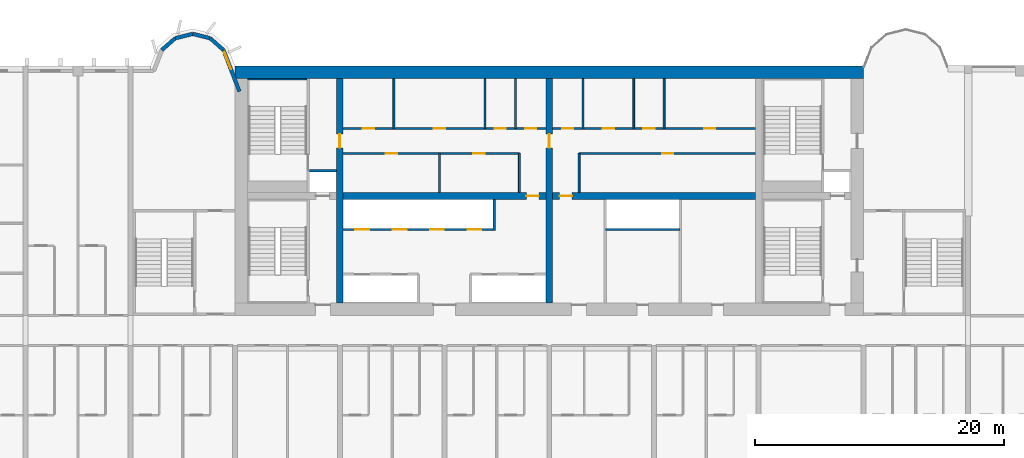
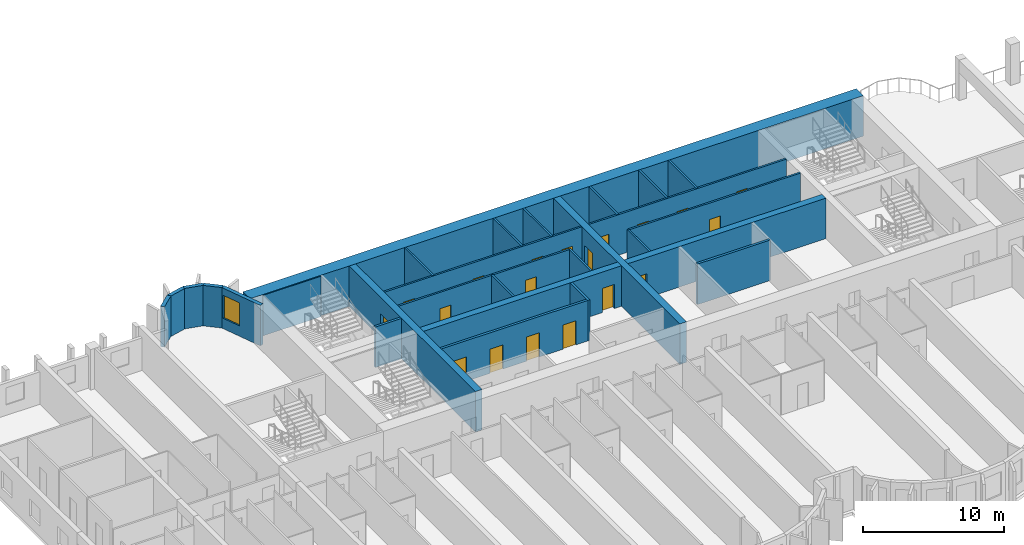
# One storey, part 7 of 14: 28 walls, 19 doors, 1 window, 20 openings.
"""IFC4 building model written with IfcOpenShell, lengths in metres."""

from ifc_helpers import new_model, si_unit, direction, frame, frame_2d, origin, place, context, subcontext, project, spatial, rectangle, extrude, source, transform, mapped, material, layer, layer_set, type_object, element, fill, save


model = new_model("IFC4")

# Units and contexts
model_context = context("Model", 3, precision=1e-05, world=origin(), true_north=direction((0.0, 1.0)))
body_context = subcontext(model_context, "Body", "Model", "MODEL_VIEW")
ifc_project = project(units=[si_unit("LENGTHUNIT", "METRE"), si_unit("AREAUNIT", "SQUARE_METRE"), si_unit("VOLUMEUNIT", "CUBIC_METRE"), si_unit("PLANEANGLEUNIT", "RADIAN"), si_unit("MASSUNIT", "GRAM", prefix="KILO")], contexts=[model_context])

# Site, building, storey
site_placement = place(None, origin())
site = spatial("IfcSite", under=ifc_project, at=site_placement, CompositionType="ELEMENT")
building_placement = place(site_placement, origin())
building = spatial("IfcBuilding", under=site, at=building_placement, Name="Vanashikhar Sky Hotel", CompositionType="ELEMENT")
storey_placement = place(building_placement, frame((0.0, 0.0, 73.39990234375)))
storey = spatial("IfcBuildingStorey", under=building, at=storey_placement, Name="L17", CompositionType="ELEMENT", Elevation=73.39990234375)

# Wall
ifc_material_1 = material(Name="Concrete M80", Category="concrete")
ifc_layer_1 = layer(ifc_material_1, 1.0)
ifc_layer_set_1 = layer_set([ifc_layer_1], Name="RC core shell wall 1000 Concrete M80")
wall_type_1 = type_object("IfcWallType", Name="RC core shell wall 1000 Concrete M80", PredefinedType="SHEAR", material=ifc_layer_set_1)
shared_shape_1 = source(origin(), body_context, "Body", "SweptSolid", [
    extrude(rectangle(XDim=50.400146484375, YDim=1.0, at=frame_2d((25.2001953125, 0.0))), origin(), (0.0, 0.0, 1.0), 3.52001953125),
])
wall_1_placement = place(storey_placement, frame((25.199951171875, 41.5, 0.0), z_axis=(0.0, 0.0, 1.0), x_axis=(1.0, 0.0, 0.0)))
element("IfcWall", 1, at=wall_1_placement, inside=storey, type_object=wall_type_1, Name="KW-L17-KN", PredefinedType="SHEAR", context=body_context, shape_type="MappedRepresentation", body=[
    mapped(shared_shape_1, transform((0.0, 0.0, 0.0), scale=1.0)),
])

# Wall, opening, door
ifc_layer_2 = layer(ifc_material_1, 0.550048828125)
ifc_layer_set_2 = layer_set([ifc_layer_2], Name="RC core inner wall 550 Concrete M80")
wall_type_2 = type_object("IfcWallType", Name="RC core inner wall 550 Concrete M80", PredefinedType="SHEAR", material=ifc_layer_set_2)
shared_shape_2 = source(origin(), body_context, "Body", "SweptSolid", [
    extrude(rectangle(XDim=18.0, YDim=0.550048828125, at=frame_2d((9.0, 0.0))), origin(), (0.0, 0.0, 1.0), 3.52001953125),
])
wall_2_placement = place(storey_placement, frame((33.60009765625, 23.0, 0.0), z_axis=(0.0, 0.0, 1.0), x_axis=(0.0, 1.0, 0.0)))
wall_2 = element("IfcWall", 2, at=wall_2_placement, inside=storey, type_object=wall_type_2, Name="KW-L17-KX1", PredefinedType="SHEAR", context=body_context, shape_type="MappedRepresentation", body=[
    mapped(shared_shape_2, transform((0.0, 0.0, 0.0), scale=1.0)),
])
shared_shape_3 = source(origin(), body_context, "Body", "SweptSolid", [
    extrude(rectangle(XDim=1.10009765625, YDim=2.10009765625, at=frame_2d((0.550048828125, 1.050048828125))), frame((0.0, 0.28515625, 0.0), z_axis=(0.0, -1.0, 0.0), x_axis=(1.0, 0.0, 0.0)), (0.0, 0.0, 1.0), 0.570068359375),
])
opening_1_placement = place(wall_2_placement, frame((12.449951171875, 0.0, 0.0)))
opening_1 = element("IfcOpeningElement", 3, at=opening_1_placement, cuts=wall_2, Name="Opening DC-4-C", PredefinedType="OPENING", context=body_context, shape_type="MappedRepresentation", body=[
    mapped(shared_shape_3, transform((0.0, 0.0, 0.0), scale=1.0)),
])
ifc_material_2 = material(Name="Steel", Category="steel")
door_type_1 = type_object("IfcDoorType", Name="Service door 1100 FD60", OperationType="NOTDEFINED", PredefinedType="DOOR", material=ifc_material_2)
shared_shape_4 = source(origin(), body_context, "Body", "SweptSolid", [
    extrude(rectangle(XDim=1.10009765625, YDim=2.10009765625, at=frame_2d((0.550048828125, 1.050048828125))), frame((0.0, 0.02490234375, 0.0), z_axis=(0.0, -1.0, 0.0), x_axis=(1.0, 0.0, 0.0)), (0.0, 0.0, 1.0), 0.050048828125),
])
door_1_placement = place(opening_1_placement, origin())
door_1 = element("IfcDoor", 4, at=door_1_placement, inside=storey, type_object=door_type_1, Name="Service door 1100 FD60", OperationType="SINGLE_SWING_RIGHT", OverallHeight=2.10009765625, OverallWidth=1.10009765625, PredefinedType="DOOR", context=body_context, shape_type="MappedRepresentation", body=[
    mapped(shared_shape_4, transform((0.0, 0.0, 0.0), scale=1.0)),
])
fill(opening_1, door_1)

wall_3_placement = place(storey_placement, frame((50.39990234375, 23.0, 0.0), z_axis=(0.0, 0.0, 1.0), x_axis=(0.0, 1.0, 0.0)))
wall_3 = element("IfcWall", 5, at=wall_3_placement, inside=storey, type_object=wall_type_2, Name="KW-L17-KX2", PredefinedType="SHEAR", context=body_context, shape_type="MappedRepresentation", body=[
    mapped(shared_shape_2, transform((0.0, 0.0, 0.0), scale=1.0)),
])
opening_2_placement = place(wall_3_placement, frame((12.449951171875, 0.0, 0.0)))
opening_2 = element("IfcOpeningElement", 6, at=opening_2_placement, cuts=wall_3, Name="Opening DC-4-C", PredefinedType="OPENING", context=body_context, shape_type="MappedRepresentation", body=[
    mapped(shared_shape_3, transform((0.0, 0.0, 0.0), scale=1.0)),
])
door_2_placement = place(opening_2_placement, origin())
door_2 = element("IfcDoor", 7, at=door_2_placement, inside=storey, type_object=door_type_1, Name="Service door 1100 FD60", OperationType="SINGLE_SWING_LEFT", OverallHeight=2.10009765625, OverallWidth=1.10009765625, PredefinedType="DOOR", context=body_context, shape_type="MappedRepresentation", body=[
    mapped(shared_shape_4, transform((0.0, 0.0, 0.0), scale=1.0)),
])
fill(opening_2, door_2)

shared_shape_5 = source(origin(), body_context, "Body", "SweptSolid", [
    extrude(rectangle(XDim=16.25, YDim=0.550048828125, at=frame_2d((8.125, 0.0))), origin(), (0.0, 0.0, 1.0), 3.52001953125),
])
wall_4_placement = place(storey_placement, frame((33.875, 31.60009765625, 0.0), z_axis=(0.0, 0.0, 1.0), x_axis=(1.0, 0.0, 0.0)))
wall_4 = element("IfcWall", 8, at=wall_4_placement, inside=storey, type_object=wall_type_2, Name="KW-L17-KY2", PredefinedType="SHEAR", context=body_context, shape_type="MappedRepresentation", body=[
    mapped(shared_shape_5, transform((0.0, 0.0, 0.0), scale=1.0)),
])
shared_shape_6 = source(origin(), body_context, "Body", "SweptSolid", [
    extrude(rectangle(XDim=1.0, YDim=2.10009765625, at=frame_2d((0.5, 1.050048828125))), frame((0.0, 0.28515625, 0.0), z_axis=(0.0, -1.0, 0.0), x_axis=(1.0, 0.0, 0.0)), (0.0, 0.0, 1.0), 0.570068359375),
])
opening_3_placement = place(wall_4_placement, frame((14.68701171875, 0.0, 0.0)))
opening_3 = element("IfcOpeningElement", 9, at=opening_3_placement, cuts=wall_4, Name="Opening DC-4", PredefinedType="OPENING", context=body_context, shape_type="MappedRepresentation", body=[
    mapped(shared_shape_6, transform((0.0, 0.0, 0.0), scale=1.0)),
])
door_type_2 = type_object("IfcDoorType", Name="Service door 1000 FD60", OperationType="NOTDEFINED", PredefinedType="DOOR", material=ifc_material_2)
shared_shape_7 = source(origin(), body_context, "Body", "SweptSolid", [
    extrude(rectangle(XDim=1.0, YDim=2.10009765625, at=frame_2d((0.5, 1.050048828125))), frame((0.0, 0.02490234375, 0.0), z_axis=(0.0, -1.0, 0.0), x_axis=(1.0, 0.0, 0.0)), (0.0, 0.0, 1.0), 0.050048828125),
])
door_3_placement = place(opening_3_placement, origin())
door_3 = element("IfcDoor", 10, at=door_3_placement, inside=storey, type_object=door_type_2, Name="Service door 1000 FD60", OperationType="SINGLE_SWING_LEFT", OverallHeight=2.10009765625, OverallWidth=1.0, PredefinedType="DOOR", context=body_context, shape_type="MappedRepresentation", body=[
    mapped(shared_shape_7, transform((0.0, 0.0, 0.0), scale=1.0)),
])
fill(opening_3, door_3)

wall_5_placement = place(storey_placement, frame((50.675048828125, 31.60009765625, 0.0), z_axis=(0.0, 0.0, 1.0), x_axis=(1.0, 0.0, 0.0)))
wall_5 = element("IfcWall", 11, at=wall_5_placement, inside=storey, type_object=wall_type_2, Name="KW-L17-KY3", PredefinedType="SHEAR", context=body_context, shape_type="MappedRepresentation", body=[
    mapped(shared_shape_5, transform((0.0, 0.0, 0.0), scale=1.0)),
])
opening_4_placement = place(wall_5_placement, frame((0.56201171875, 0.0, 0.0)))
opening_4 = element("IfcOpeningElement", 12, at=opening_4_placement, cuts=wall_5, Name="Opening DC-4", PredefinedType="OPENING", context=body_context, shape_type="MappedRepresentation", body=[
    mapped(shared_shape_6, transform((0.0, 0.0, 0.0), scale=1.0)),
])
door_4_placement = place(opening_4_placement, origin())
door_4 = element("IfcDoor", 13, at=door_4_placement, inside=storey, type_object=door_type_2, Name="Service door 1000 FD60", OperationType="SINGLE_SWING_LEFT", OverallHeight=2.10009765625, OverallWidth=1.0, PredefinedType="DOOR", context=body_context, shape_type="MappedRepresentation", body=[
    mapped(shared_shape_7, transform((0.0, 0.0, 0.0), scale=1.0)),
])
fill(opening_4, door_4)

# Wall, opening, window
ifc_material_3 = material(Name="Concrete M50", Category="concrete")
ifc_layer_3 = layer(ifc_material_3, 0.300048828125)
ifc_layer_set_3 = layer_set([ifc_layer_3], Name="Lobe wall 300")
wall_type_3 = type_object("IfcWallType", Name="Lobe wall 300", PredefinedType="SOLIDWALL", material=ifc_layer_set_3)
shared_shape_8 = source(origin(), body_context, "Body", "SweptSolid", [
    extrude(rectangle(XDim=3.55908203125, YDim=0.300048828125, at=frame_2d((1.779541015625, 0.0))), origin(), (0.0, 0.0, 1.0), 3.52001953125),
])
wall_6_placement = place(storey_placement, frame((25.550048828125, 39.968505859375, 0.0), z_axis=(0.0, 0.0, 1.0), x_axis=(-0.35779745313, 0.933799219604, 0.0)))
wall_6 = element("IfcWall", 14, at=wall_6_placement, inside=storey, type_object=wall_type_3, Name="Lobe wall", PredefinedType="SOLIDWALL", context=body_context, shape_type="MappedRepresentation", body=[
    mapped(shared_shape_8, transform((0.0, 0.0, 0.0), scale=1.0)),
])
shared_shape_9 = source(origin(), body_context, "Body", "SweptSolid", [
    extrude(rectangle(XDim=1.5, YDim=2.0, at=frame_2d((0.75, 1.0))), frame((0.0, 0.16015625, 0.0), z_axis=(0.0, -1.0, 0.0), x_axis=(1.0, 0.0, 0.0)), (0.0, 0.0, 1.0), 0.320068359375),
])
opening_5_placement = place(wall_6_placement, frame((1.9033203125, 0.0, 0.89990234375)))
opening_5 = element("IfcOpeningElement", 15, at=opening_5_placement, cuts=wall_6, Name="Opening WN-2", PredefinedType="OPENING", context=body_context, shape_type="MappedRepresentation", body=[
    mapped(shared_shape_9, transform((0.0, 0.0, 0.0), scale=1.0)),
])
ifc_material_4 = material(Name="Glass", Category="glass")
window_type = type_object("IfcWindowType", Name="Lobe window 1500 x 2000", PartitioningType="SINGLE_PANEL", PredefinedType="WINDOW", material=ifc_material_4)
shared_shape_10 = source(origin(), body_context, "Body", "SweptSolid", [
    extrude(rectangle(XDim=1.5, YDim=2.0, at=frame_2d((0.75, 1.0))), frame((0.0, 0.030029296875, 0.0), z_axis=(0.0, -1.0, 0.0), x_axis=(1.0, 0.0, 0.0)), (0.0, 0.0, 1.0), 0.06005859375),
])
window_placement = place(opening_5_placement, origin())
window = element("IfcWindow", 16, at=window_placement, inside=storey, type_object=window_type, Name="Window WN-2", OverallHeight=2.0, OverallWidth=1.5, PartitioningType="SINGLE_PANEL", PredefinedType="WINDOW", context=body_context, shape_type="MappedRepresentation", body=[
    mapped(shared_shape_10, transform((0.0, 0.0, 0.0), scale=1.0)),
])
fill(opening_5, window)

# Walls
shared_shape_11 = source(origin(), body_context, "Body", "SweptSolid", [
    extrude(rectangle(XDim=1.440185546875, YDim=0.300048828125, at=frame_2d((0.72021484375, 0.0))), origin(), (0.0, 0.0, 1.0), 3.52001953125),
])
wall_7_placement = place(storey_placement, frame((24.276611328125, 43.2919921875, 0.0), z_axis=(0.0, 0.0, 1.0), x_axis=(-0.749649827867, 0.661834673902, 0.0)))
element("IfcWall", 17, at=wall_7_placement, inside=storey, type_object=wall_type_3, Name="Lobe wall", PredefinedType="SOLIDWALL", context=body_context, shape_type="MappedRepresentation", body=[
    mapped(shared_shape_11, transform((0.0, 0.0, 0.0), scale=1.0)),
])
shared_shape_12 = source(origin(), body_context, "Body", "SweptSolid", [
    extrude(rectangle(XDim=1.4384765625, YDim=0.300048828125, at=frame_2d((0.71923828125, 0.0))), origin(), (0.0, 0.0, 1.0), 3.52001953125),
])
wall_8_placement = place(storey_placement, frame((23.197021484375, 44.2451171875, 0.0), z_axis=(0.0, 0.0, 1.0), x_axis=(-0.971152283879, 0.238460146601, 0.0)))
element("IfcWall", 18, at=wall_8_placement, inside=storey, type_object=wall_type_3, Name="Lobe wall", PredefinedType="SOLIDWALL", context=body_context, shape_type="MappedRepresentation", body=[
    mapped(shared_shape_12, transform((0.0, 0.0, 0.0), scale=1.0)),
])
shared_shape_13 = source(origin(), body_context, "Body", "SweptSolid", [
    extrude(rectangle(XDim=1.438720703125, YDim=0.300048828125, at=frame_2d((0.71923828125, 0.0))), origin(), (0.0, 0.0, 1.0), 3.52001953125),
])
wall_9_placement = place(storey_placement, frame((21.800048828125, 44.588134765625, 0.0), z_axis=(0.0, 0.0, 1.0), x_axis=(-0.971161932466, -0.238420848351, 0.0)))
element("IfcWall", 19, at=wall_9_placement, inside=storey, type_object=wall_type_3, Name="Lobe wall", PredefinedType="SOLIDWALL", context=body_context, shape_type="MappedRepresentation", body=[
    mapped(shared_shape_13, transform((0.0, 0.0, 0.0), scale=1.0)),
])
shared_shape_14 = source(origin(), body_context, "Body", "SweptSolid", [
    extrude(rectangle(XDim=1.43994140625, YDim=0.300048828125, at=frame_2d((0.719970703125, 0.0))), origin(), (0.0, 0.0, 1.0), 3.52001953125),
])
wall_10_placement = place(storey_placement, frame((20.40283203125, 44.2451171875, 0.0), z_axis=(0.0, 0.0, 1.0), x_axis=(-0.74957555648, -0.661918790432, 0.0)))
element("IfcWall", 20, at=wall_10_placement, inside=storey, type_object=wall_type_3, Name="Lobe wall", PredefinedType="SOLIDWALL", context=body_context, shape_type="MappedRepresentation", body=[
    mapped(shared_shape_14, transform((0.0, 0.0, 0.0), scale=1.0)),
])
ifc_material_5 = material(Name="Concrete M40", Category="concrete")
ifc_layer_4 = layer(ifc_material_5, 0.199951171875)
ifc_layer_set_4 = layer_set([ifc_layer_4], Name="Shaft wall 200")
wall_type_4 = type_object("IfcWallType", Name="Shaft wall 200", PredefinedType="SOLIDWALL", material=ifc_layer_set_4)
shared_shape_15 = source(origin(), body_context, "Body", "SweptSolid", [
    extrude(rectangle(XDim=6.0, YDim=0.199951171875, at=frame_2d((3.0, 0.0))), origin(), (0.0, 0.0, 1.0), 3.52001953125),
])
wall_11_placement = place(storey_placement, frame((60.89990234375, 28.89990234375, 0.0), z_axis=(0.0, 0.0, 1.0), x_axis=(-1.0, 0.0, 0.0)))
element("IfcWall", 21, at=wall_11_placement, inside=storey, type_object=wall_type_4, Name="Shaft wall 200", PredefinedType="SOLIDWALL", context=body_context, shape_type="MappedRepresentation", body=[
    mapped(shared_shape_15, transform((0.0, 0.0, 0.0), scale=1.0)),
])
ifc_layer_5 = layer(ifc_material_3, 0.10009765625)
ifc_layer_set_5 = layer_set([ifc_layer_5], Name="Stair infill wall 100")
wall_type_5 = type_object("IfcWallType", Name="Stair infill wall 100", PredefinedType="SOLIDWALL", material=ifc_layer_set_5)
shared_shape_16 = source(origin(), body_context, "Body", "SweptSolid", [
    extrude(rectangle(XDim=4.75, YDim=0.10009765625, at=frame_2d((2.375, 0.0))), origin(), (0.0, 0.0, 1.0), 3.52001953125),
])
wall_12_placement = place(storey_placement, frame((26.199951171875, 40.949951171875, 0.0), z_axis=(0.0, 0.0, 1.0), x_axis=(1.0, 0.0, 0.0)))
element("IfcWall", 22, at=wall_12_placement, inside=storey, type_object=wall_type_5, Name="Stair infill wall 100", PredefinedType="SOLIDWALL", context=body_context, shape_type="MappedRepresentation", body=[
    mapped(shared_shape_16, transform((0.0, 0.0, 0.0), scale=1.0)),
])

# Wall, openings, doors
shared_shape_17 = source(origin(), body_context, "Body", "SweptSolid", [
    extrude(rectangle(XDim=12.02490234375, YDim=0.199951171875, at=frame_2d((6.012451171875, 0.0))), origin(), (0.0, 0.0, 1.0), 3.52001953125),
])
wall_13_placement = place(storey_placement, frame((33.875, 28.89990234375, 0.0), z_axis=(0.0, 0.0, 1.0), x_axis=(1.0, 0.0, 0.0)))
wall_13 = element("IfcWall", 23, at=wall_13_placement, inside=storey, type_object=wall_type_4, Name="Shaft wall 200", PredefinedType="SOLIDWALL", context=body_context, shape_type="MappedRepresentation", body=[
    mapped(shared_shape_17, transform((0.0, 0.0, 0.0), scale=1.0)),
])
shared_shape_18 = source(origin(), body_context, "Body", "SweptSolid", [
    extrude(rectangle(XDim=1.10009765625, YDim=2.10009765625, at=frame_2d((0.550048828125, 1.050048828125))), frame((0.0, 0.10986328125, 0.0), z_axis=(0.0, -1.0, 0.0), x_axis=(1.0, 0.0, 0.0)), (0.0, 0.0, 1.0), 0.219970703125),
])
opening_6_placement = place(wall_13_placement, frame((0.97509765625, 0.0, 0.0)))
opening_6 = element("IfcOpeningElement", 24, at=opening_6_placement, cuts=wall_13, Name="Opening LD", PredefinedType="OPENING", context=body_context, shape_type="MappedRepresentation", body=[
    mapped(shared_shape_18, transform((0.0, 0.0, 0.0), scale=1.0)),
])
opening_7_placement = place(wall_13_placement, frame((3.97509765625, 0.0, 0.0)))
opening_7 = element("IfcOpeningElement", 25, at=opening_7_placement, cuts=wall_13, Name="Opening LD", PredefinedType="OPENING", context=body_context, shape_type="MappedRepresentation", body=[
    mapped(shared_shape_18, transform((0.0, 0.0, 0.0), scale=1.0)),
])
opening_8_placement = place(wall_13_placement, frame((6.97509765625, 0.0, 0.0)))
opening_8 = element("IfcOpeningElement", 26, at=opening_8_placement, cuts=wall_13, Name="Opening LD", PredefinedType="OPENING", context=body_context, shape_type="MappedRepresentation", body=[
    mapped(shared_shape_18, transform((0.0, 0.0, 0.0), scale=1.0)),
])
opening_9_placement = place(wall_13_placement, frame((9.97509765625, 0.0, 0.0)))
opening_9 = element("IfcOpeningElement", 27, at=opening_9_placement, cuts=wall_13, Name="Opening LD", PredefinedType="OPENING", context=body_context, shape_type="MappedRepresentation", body=[
    mapped(shared_shape_18, transform((0.0, 0.0, 0.0), scale=1.0)),
])
ifc_material_6 = material(Name="Stainless steel", Category="steel")
door_type_3 = type_object("IfcDoorType", Name="Lift landing door 1100", OperationType="NOTDEFINED", PredefinedType="DOOR", material=ifc_material_6)
door_5_placement = place(opening_6_placement, origin())
door_5 = element("IfcDoor", 28, at=door_5_placement, inside=storey, type_object=door_type_3, Name="Lift landing door 1100", OperationType="SLIDING_TO_LEFT", OverallHeight=2.10009765625, OverallWidth=1.10009765625, PredefinedType="DOOR", context=body_context, shape_type="MappedRepresentation", body=[
    mapped(shared_shape_4, transform((0.0, 0.0, 0.0), scale=1.0)),
])
fill(opening_6, door_5)
door_6_placement = place(opening_7_placement, origin())
door_6 = element("IfcDoor", 29, at=door_6_placement, inside=storey, type_object=door_type_3, Name="Lift landing door 1100", OperationType="SLIDING_TO_RIGHT", OverallHeight=2.10009765625, OverallWidth=1.10009765625, PredefinedType="DOOR", context=body_context, shape_type="MappedRepresentation", body=[
    mapped(shared_shape_4, transform((0.0, 0.0, 0.0), scale=1.0)),
])
fill(opening_7, door_6)
door_7_placement = place(opening_8_placement, origin())
door_7 = element("IfcDoor", 30, at=door_7_placement, inside=storey, type_object=door_type_3, Name="Lift landing door 1100", OperationType="SLIDING_TO_LEFT", OverallHeight=2.10009765625, OverallWidth=1.10009765625, PredefinedType="DOOR", context=body_context, shape_type="MappedRepresentation", body=[
    mapped(shared_shape_4, transform((0.0, 0.0, 0.0), scale=1.0)),
])
fill(opening_8, door_7)
door_8_placement = place(opening_9_placement, origin())
door_8 = element("IfcDoor", 31, at=door_8_placement, inside=storey, type_object=door_type_3, Name="Lift landing door 1100", OperationType="SLIDING_TO_RIGHT", OverallHeight=2.10009765625, OverallWidth=1.10009765625, PredefinedType="DOOR", context=body_context, shape_type="MappedRepresentation", body=[
    mapped(shared_shape_4, transform((0.0, 0.0, 0.0), scale=1.0)),
])
fill(opening_9, door_8)

# Walls
shared_shape_19 = source(origin(), body_context, "Body", "SweptSolid", [
    extrude(rectangle(XDim=2.52490234375, YDim=0.199951171875, at=frame_2d((1.262451171875, 0.0))), origin(), (0.0, 0.0, 1.0), 3.52001953125),
])
wall_14_placement = place(storey_placement, frame((46.0, 28.800048828125, 0.0), z_axis=(0.0, 0.0, 1.0), x_axis=(0.0, 1.0, 0.0)))
element("IfcWall", 32, at=wall_14_placement, inside=storey, type_object=wall_type_4, Name="Shaft wall 200", PredefinedType="SOLIDWALL", context=body_context, shape_type="MappedRepresentation", body=[
    mapped(shared_shape_19, transform((0.0, 0.0, 0.0), scale=1.0)),
])
ifc_material_7 = material(Name="Gypsum board partition")
ifc_layer_6 = layer(ifc_material_7, 0.14990234375)
ifc_layer_set_6 = layer_set([ifc_layer_6], Name="Service partition 150")
wall_type_6 = type_object("IfcWallType", Name="Service partition 150", PredefinedType="PARTITIONING", material=ifc_layer_set_6)
shared_shape_20 = source(origin(), body_context, "Body", "SweptSolid", [
    extrude(rectangle(XDim=3.125, YDim=0.14990234375, at=frame_2d((1.5625, 0.0))), origin(), (0.0, 0.0, 1.0), 3.52001953125),
])
for number, where, z_axis, x_axis, name in (
    (33, (48.0, 31.875, 0.0), (0.0, 0.0, 1.0), (0.0, 1.0, 0.0), "Service partition 150"),
    (34, (41.60205078125, 31.875, 0.0), (0.0, 0.0, 1.0), (0.0, 1.0, 0.0), "Service partition 150"),
    (35, (52.800048828125, 31.875, 0.0), (0.0, 0.0, 1.0), (0.0, 1.0, 0.0), "Service partition 150"),
):
    element("IfcWall", number, at=place(storey_placement, frame(where, z_axis=z_axis, x_axis=x_axis)), inside=storey, type_object=wall_type_6, Name=name, PredefinedType="PARTITIONING", context=body_context, shape_type="MappedRepresentation", body=[
        mapped(shared_shape_20, transform((0.0, 0.0, 0.0), scale=1.0)),
    ])

# Wall, openings, doors
shared_shape_21 = source(origin(), body_context, "Body", "SweptSolid", [
    extrude(rectangle(XDim=14.125, YDim=0.14990234375, at=frame_2d((7.0625, 0.0))), origin(), (0.0, 0.0, 1.0), 3.52001953125),
])
wall_15_placement = place(storey_placement, frame((33.875, 35.0, 0.0), z_axis=(0.0, 0.0, 1.0), x_axis=(1.0, 0.0, 0.0)))
wall_15 = element("IfcWall", 36, at=wall_15_placement, inside=storey, type_object=wall_type_6, Name="Service partition 150", PredefinedType="PARTITIONING", context=body_context, shape_type="MappedRepresentation", body=[
    mapped(shared_shape_21, transform((0.0, 0.0, 0.0), scale=1.0)),
])
shared_shape_22 = source(origin(), body_context, "Body", "SweptSolid", [
    extrude(rectangle(XDim=0.89990234375, YDim=2.10009765625, at=frame_2d((0.449951171875, 1.050048828125))), frame((0.0, 0.0849609375, 0.0), z_axis=(0.0, -1.0, 0.0), x_axis=(1.0, 0.0, 0.0)), (0.0, 0.0, 1.0), 0.169921875),
])
opening_10_placement = place(wall_15_placement, frame((3.4140625, 0.0, 0.0)))
opening_10 = element("IfcOpeningElement", 37, at=opening_10_placement, cuts=wall_15, Name="Opening DC-4-A", PredefinedType="OPENING", context=body_context, shape_type="MappedRepresentation", body=[
    mapped(shared_shape_22, transform((0.0, 0.0, 0.0), scale=1.0)),
])
opening_11_placement = place(wall_15_placement, frame((10.43896484375, 0.0, 0.0)))
opening_11 = element("IfcOpeningElement", 38, at=opening_11_placement, cuts=wall_15, Name="Opening DC-4-A", PredefinedType="OPENING", context=body_context, shape_type="MappedRepresentation", body=[
    mapped(shared_shape_22, transform((0.0, 0.0, 0.0), scale=1.0)),
])
door_type_4 = type_object("IfcDoorType", Name="Service door 900 FD60", OperationType="NOTDEFINED", PredefinedType="DOOR", material=ifc_material_2)
shared_shape_23 = source(origin(), body_context, "Body", "SweptSolid", [
    extrude(rectangle(XDim=0.89990234375, YDim=2.10009765625, at=frame_2d((0.449951171875, 1.050048828125))), frame((0.0, 0.02490234375, 0.0), z_axis=(0.0, -1.0, 0.0), x_axis=(1.0, 0.0, 0.0)), (0.0, 0.0, 1.0), 0.050048828125),
])
door_9_placement = place(opening_10_placement, origin())
door_9 = element("IfcDoor", 39, at=door_9_placement, inside=storey, type_object=door_type_4, Name="Service door 900 FD60", OperationType="SINGLE_SWING_RIGHT", OverallHeight=2.10009765625, OverallWidth=0.89990234375, PredefinedType="DOOR", context=body_context, shape_type="MappedRepresentation", body=[
    mapped(shared_shape_23, transform((0.0, 0.0, 0.0), scale=1.0)),
])
fill(opening_10, door_9)
door_10_placement = place(opening_11_placement, origin())
door_10 = element("IfcDoor", 40, at=door_10_placement, inside=storey, type_object=door_type_4, Name="Service door 900 FD60", OperationType="SINGLE_SWING_RIGHT", OverallHeight=2.10009765625, OverallWidth=0.89990234375, PredefinedType="DOOR", context=body_context, shape_type="MappedRepresentation", body=[
    mapped(shared_shape_23, transform((0.0, 0.0, 0.0), scale=1.0)),
])
fill(opening_11, door_10)

# Wall, opening, door
wall_16_placement = place(storey_placement, frame((66.925048828125, 35.0, 0.0), z_axis=(0.0, 0.0, 1.0), x_axis=(-1.0, 0.0, 0.0)))
wall_16 = element("IfcWall", 41, at=wall_16_placement, inside=storey, type_object=wall_type_6, Name="Service partition 150", PredefinedType="PARTITIONING", context=body_context, shape_type="MappedRepresentation", body=[
    mapped(shared_shape_21, transform((0.0, 0.0, 0.0), scale=1.0)),
])
opening_12_placement = place(wall_16_placement, frame((6.574951171875, 0.0, 0.0)))
opening_12 = element("IfcOpeningElement", 42, at=opening_12_placement, cuts=wall_16, Name="Opening DC-4-A", PredefinedType="OPENING", context=body_context, shape_type="MappedRepresentation", body=[
    mapped(shared_shape_22, transform((0.0, 0.0, 0.0), scale=1.0)),
])
door_11_placement = place(opening_12_placement, origin())
door_11 = element("IfcDoor", 43, at=door_11_placement, inside=storey, type_object=door_type_4, Name="Service door 900 FD60", OperationType="SINGLE_SWING_RIGHT", OverallHeight=2.10009765625, OverallWidth=0.89990234375, PredefinedType="DOOR", context=body_context, shape_type="MappedRepresentation", body=[
    mapped(shared_shape_23, transform((0.0, 0.0, 0.0), scale=1.0)),
])
fill(opening_12, door_11)

# Wall, openings, doors
shared_shape_24 = source(origin(), body_context, "Body", "SweptSolid", [
    extrude(rectangle(XDim=16.25, YDim=0.14990234375, at=frame_2d((8.125, 0.0))), origin(), (0.0, 0.0, 1.0), 3.52001953125),
])
wall_17_placement = place(storey_placement, frame((33.875, 37.0, 0.0), z_axis=(0.0, 0.0, 1.0), x_axis=(1.0, 0.0, 0.0)))
wall_17 = element("IfcWall", 44, at=wall_17_placement, inside=storey, type_object=wall_type_6, Name="Service partition 150", PredefinedType="PARTITIONING", context=body_context, shape_type="MappedRepresentation", body=[
    mapped(shared_shape_24, transform((0.0, 0.0, 0.0), scale=1.0)),
])
opening_13_placement = place(wall_17_placement, frame((1.5810546875, 0.0, 0.0)))
opening_13 = element("IfcOpeningElement", 45, at=opening_13_placement, cuts=wall_17, Name="Opening DC-4-A", PredefinedType="OPENING", context=body_context, shape_type="MappedRepresentation", body=[
    mapped(shared_shape_22, transform((0.0, 0.0, 0.0), scale=1.0)),
])
opening_14_placement = place(wall_17_placement, frame((7.26904296875, 0.0, 0.0)))
opening_14 = element("IfcOpeningElement", 46, at=opening_14_placement, cuts=wall_17, Name="Opening DC-4-A", PredefinedType="OPENING", context=body_context, shape_type="MappedRepresentation", body=[
    mapped(shared_shape_22, transform((0.0, 0.0, 0.0), scale=1.0)),
])
opening_15_placement = place(wall_17_placement, frame((12.14404296875, 0.0, 0.0)))
opening_15 = element("IfcOpeningElement", 47, at=opening_15_placement, cuts=wall_17, Name="Opening DC-4-A", PredefinedType="OPENING", context=body_context, shape_type="MappedRepresentation", body=[
    mapped(shared_shape_22, transform((0.0, 0.0, 0.0), scale=1.0)),
])
opening_16_placement = place(wall_17_placement, frame((14.5810546875, 0.0, 0.0)))
opening_16 = element("IfcOpeningElement", 48, at=opening_16_placement, cuts=wall_17, Name="Opening DC-4-A", PredefinedType="OPENING", context=body_context, shape_type="MappedRepresentation", body=[
    mapped(shared_shape_22, transform((0.0, 0.0, 0.0), scale=1.0)),
])
door_12_placement = place(opening_13_placement, origin())
door_12 = element("IfcDoor", 49, at=door_12_placement, inside=storey, type_object=door_type_4, Name="Service door 900 FD60", OperationType="SINGLE_SWING_RIGHT", OverallHeight=2.10009765625, OverallWidth=0.89990234375, PredefinedType="DOOR", context=body_context, shape_type="MappedRepresentation", body=[
    mapped(shared_shape_23, transform((0.0, 0.0, 0.0), scale=1.0)),
])
fill(opening_13, door_12)
door_13_placement = place(opening_14_placement, origin())
door_13 = element("IfcDoor", 50, at=door_13_placement, inside=storey, type_object=door_type_4, Name="Service door 900 FD60", OperationType="SINGLE_SWING_RIGHT", OverallHeight=2.10009765625, OverallWidth=0.89990234375, PredefinedType="DOOR", context=body_context, shape_type="MappedRepresentation", body=[
    mapped(shared_shape_23, transform((0.0, 0.0, 0.0), scale=1.0)),
])
fill(opening_14, door_13)
door_14_placement = place(opening_15_placement, origin())
door_14 = element("IfcDoor", 51, at=door_14_placement, inside=storey, type_object=door_type_4, Name="Service door 900 FD60", OperationType="SINGLE_SWING_RIGHT", OverallHeight=2.10009765625, OverallWidth=0.89990234375, PredefinedType="DOOR", context=body_context, shape_type="MappedRepresentation", body=[
    mapped(shared_shape_23, transform((0.0, 0.0, 0.0), scale=1.0)),
])
fill(opening_15, door_14)
door_15_placement = place(opening_16_placement, origin())
door_15 = element("IfcDoor", 52, at=door_15_placement, inside=storey, type_object=door_type_4, Name="Service door 900 FD60", OperationType="SINGLE_SWING_LEFT", OverallHeight=2.10009765625, OverallWidth=0.89990234375, PredefinedType="DOOR", context=body_context, shape_type="MappedRepresentation", body=[
    mapped(shared_shape_23, transform((0.0, 0.0, 0.0), scale=1.0)),
])
fill(opening_16, door_15)

wall_18_placement = place(storey_placement, frame((66.925048828125, 37.0, 0.0), z_axis=(0.0, 0.0, 1.0), x_axis=(-1.0, 0.0, 0.0)))
wall_18 = element("IfcWall", 53, at=wall_18_placement, inside=storey, type_object=wall_type_6, Name="Service partition 150", PredefinedType="PARTITIONING", context=body_context, shape_type="MappedRepresentation", body=[
    mapped(shared_shape_24, transform((0.0, 0.0, 0.0), scale=1.0)),
])
opening_17_placement = place(wall_18_placement, frame((3.2060546875, 0.0, 0.0)))
opening_17 = element("IfcOpeningElement", 54, at=opening_17_placement, cuts=wall_18, Name="Opening DC-4-A", PredefinedType="OPENING", context=body_context, shape_type="MappedRepresentation", body=[
    mapped(shared_shape_22, transform((0.0, 0.0, 0.0), scale=1.0)),
])
opening_18_placement = place(wall_18_placement, frame((8.0810546875, 0.0, 0.0)))
opening_18 = element("IfcOpeningElement", 55, at=opening_18_placement, cuts=wall_18, Name="Opening DC-4-A", PredefinedType="OPENING", context=body_context, shape_type="MappedRepresentation", body=[
    mapped(shared_shape_22, transform((0.0, 0.0, 0.0), scale=1.0)),
])
opening_19_placement = place(wall_18_placement, frame((11.3310546875, 0.0, 0.0)))
opening_19 = element("IfcOpeningElement", 56, at=opening_19_placement, cuts=wall_18, Name="Opening DC-4-A", PredefinedType="OPENING", context=body_context, shape_type="MappedRepresentation", body=[
    mapped(shared_shape_22, transform((0.0, 0.0, 0.0), scale=1.0)),
])
opening_20_placement = place(wall_18_placement, frame((14.5810546875, 0.0, 0.0)))
opening_20 = element("IfcOpeningElement", 57, at=opening_20_placement, cuts=wall_18, Name="Opening DC-4-A", PredefinedType="OPENING", context=body_context, shape_type="MappedRepresentation", body=[
    mapped(shared_shape_22, transform((0.0, 0.0, 0.0), scale=1.0)),
])
door_16_placement = place(opening_17_placement, origin())
door_16 = element("IfcDoor", 58, at=door_16_placement, inside=storey, type_object=door_type_4, Name="Service door 900 FD60", OperationType="SINGLE_SWING_LEFT", OverallHeight=2.10009765625, OverallWidth=0.89990234375, PredefinedType="DOOR", context=body_context, shape_type="MappedRepresentation", body=[
    mapped(shared_shape_23, transform((0.0, 0.0, 0.0), scale=1.0)),
])
fill(opening_17, door_16)
door_17_placement = place(opening_18_placement, origin())
door_17 = element("IfcDoor", 59, at=door_17_placement, inside=storey, type_object=door_type_4, Name="Service door 900 FD60", OperationType="SINGLE_SWING_LEFT", OverallHeight=2.10009765625, OverallWidth=0.89990234375, PredefinedType="DOOR", context=body_context, shape_type="MappedRepresentation", body=[
    mapped(shared_shape_23, transform((0.0, 0.0, 0.0), scale=1.0)),
])
fill(opening_18, door_17)
door_18_placement = place(opening_19_placement, origin())
door_18 = element("IfcDoor", 60, at=door_18_placement, inside=storey, type_object=door_type_4, Name="Service door 900 FD60", OperationType="SINGLE_SWING_LEFT", OverallHeight=2.10009765625, OverallWidth=0.89990234375, PredefinedType="DOOR", context=body_context, shape_type="MappedRepresentation", body=[
    mapped(shared_shape_23, transform((0.0, 0.0, 0.0), scale=1.0)),
])
fill(opening_19, door_18)
door_19_placement = place(opening_20_placement, origin())
door_19 = element("IfcDoor", 61, at=door_19_placement, inside=storey, type_object=door_type_4, Name="Service door 900 FD60", OperationType="SINGLE_SWING_RIGHT", OverallHeight=2.10009765625, OverallWidth=0.89990234375, PredefinedType="DOOR", context=body_context, shape_type="MappedRepresentation", body=[
    mapped(shared_shape_23, transform((0.0, 0.0, 0.0), scale=1.0)),
])
fill(opening_20, door_19)

# Walls
shared_shape_25 = source(origin(), body_context, "Body", "SweptSolid", [
    extrude(rectangle(XDim=4.0, YDim=0.14990234375, at=frame_2d((2.0, 0.0))), origin(), (0.0, 0.0, 1.0), 3.52001953125),
])
for number, where, z_axis, x_axis, name in (
    (62, (37.93798828125, 37.0, 0.0), (0.0, 0.0, 1.0), (0.0, 1.0, 0.0), "Service partition 150"),
    (63, (45.25, 37.0, 0.0), (0.0, 0.0, 1.0), (0.0, 1.0, 0.0), "Service partition 150"),
    (64, (47.68798828125, 37.0, 0.0), (0.0, 0.0, 1.0), (0.0, 1.0, 0.0), "Service partition 150"),
    (65, (59.612060546875, 37.0, 0.0), (0.0, 0.0, 1.0), (0.0, 1.0, 0.0), "Service partition 150"),
    (66, (57.175048828125, 37.0, 0.0), (0.0, 0.0, 1.0), (0.0, 1.0, 0.0), "Service partition 150"),
    (67, (53.112060546875, 37.0, 0.0), (0.0, 0.0, 1.0), (0.0, 1.0, 0.0), "Service partition 150"),
):
    element("IfcWall", number, at=place(storey_placement, frame(where, z_axis=z_axis, x_axis=x_axis)), inside=storey, type_object=wall_type_6, Name=name, PredefinedType="PARTITIONING", context=body_context, shape_type="MappedRepresentation", body=[
        mapped(shared_shape_25, transform((0.0, 0.0, 0.0), scale=1.0)),
    ])
shared_shape_26 = source(origin(), body_context, "Body", "SweptSolid", [
    extrude(rectangle(XDim=2.175048828125, YDim=0.199951171875, at=frame_2d((1.08740234375, 0.0))), origin(), (0.0, 0.0, 1.0), 3.52001953125),
])
wall_19_placement = place(storey_placement, frame((31.14990234375, 33.60009765625, 0.0), z_axis=(0.0, 0.0, 1.0), x_axis=(1.0, 0.0, 0.0)))
element("IfcWall", 68, at=wall_19_placement, inside=storey, type_object=wall_type_4, Name="Shaft wall 200", PredefinedType="SOLIDWALL", context=body_context, shape_type="MappedRepresentation", body=[
    mapped(shared_shape_26, transform((0.0, 0.0, 0.0), scale=1.0)),
])

save(model, "model.ifc")
